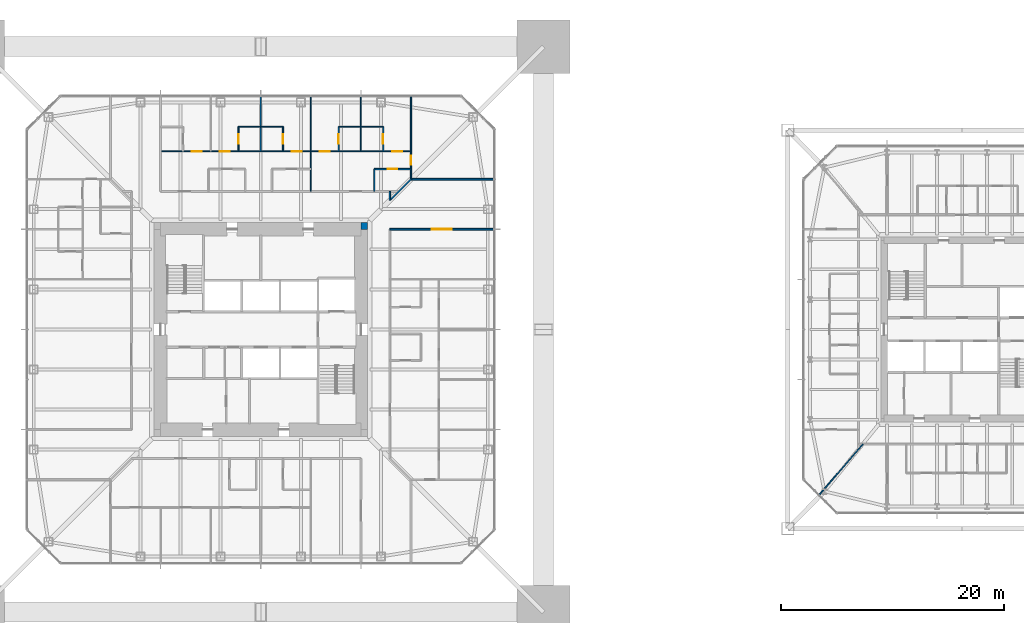
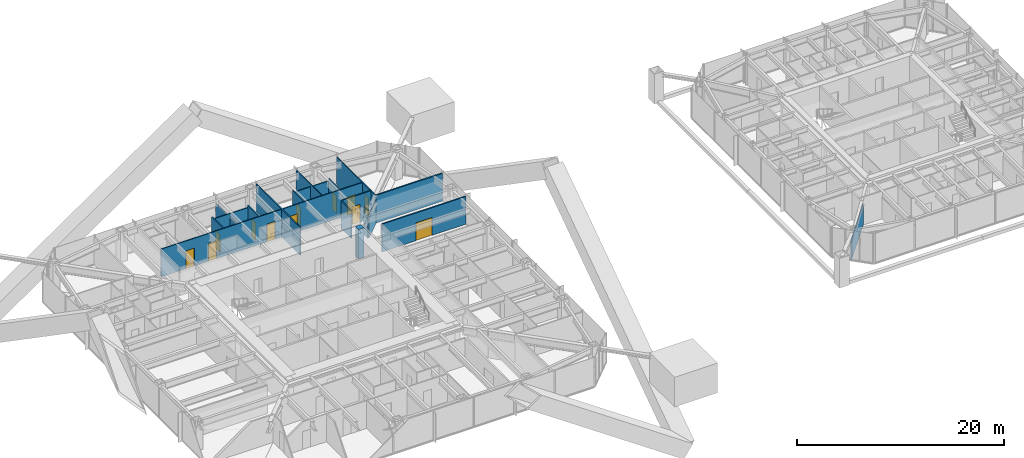
# One storey, part 17 of 26: 19 walls, 12 doors, 12 openings.
"""IFC4 building model written with IfcOpenShell, lengths in metres."""

from ifc_helpers import new_model, si_unit, direction, frame, frame_2d, origin, place, context, subcontext, project, spatial, rectangle, extrude, material, layer, layer_set, type_object, element, fill, save


model = new_model("IFC4")

# Units and contexts
model_context = context("Model", 3, precision=1e-05, world=origin(), true_north=direction((0.0, 1.0)))
body_context = subcontext(model_context, "Body", "Model", "MODEL_VIEW")
ifc_project = project(units=[si_unit("LENGTHUNIT", "METRE"), si_unit("AREAUNIT", "SQUARE_METRE"), si_unit("VOLUMEUNIT", "CUBIC_METRE"), si_unit("PLANEANGLEUNIT", "RADIAN"), si_unit("MASSUNIT", "GRAM", prefix="KILO")], contexts=[model_context])

# Site, building, storey
site_placement = place(None, origin())
site = spatial("IfcSite", under=ifc_project, at=site_placement, CompositionType="ELEMENT")
building_placement = place(site_placement, origin())
building = spatial("IfcBuilding", under=site, at=building_placement, Name="Iwan Alto Co-Living Towers", CompositionType="ELEMENT")
storey_placement = place(building_placement, frame((0.0, 0.0, 115.5)))
storey = spatial("IfcBuildingStorey", under=building, at=storey_placement, Name="L31", CompositionType="ELEMENT", Elevation=115.5)

# Wall, opening, door
ifc_material_1 = material(Name="Gypsum board")
ifc_layer_1 = layer(ifc_material_1, 0.02490234375, Name="Board", Category="Finish")
ifc_material_2 = material(Name="Steel ASTM A1003 ST33H cold-formed studs", Category="steel")
ifc_layer_2 = layer(ifc_material_2, 0.10009765625, Name="Studs", Category="Framing")
ifc_layer_3 = layer(ifc_material_1, 0.02490234375, Name="Board", Category="Finish")
ifc_layer_set_1 = layer_set([ifc_layer_1, ifc_layer_2, ifc_layer_3], Name="CORRIDOR WALL 150")
wall_type_1 = type_object("IfcWallType", Name="CORRIDOR WALL 150", PredefinedType="PARTITIONING", material=ifc_layer_set_1)
wall_1_placement = place(storey_placement, frame((11.60009765625, 9.0, 0.0), z_axis=(0.0, 0.0, 1.0), x_axis=(1.0, 0.0, 0.0)))
wall_1 = element("IfcWall", 1, at=wall_1_placement, inside=storey, type_object=wall_type_1, Name="Partition L31", PredefinedType="PARTITIONING", context=body_context, shape_type="SweptSolid", body=[
    extrude(rectangle(XDim=9.33984375, YDim=0.14990234375, at=frame_2d((4.669921875, 0.0))), origin(), (0.0, 0.0, 1.0), 3.27001953125),
])
opening_1_placement = place(wall_1_placement, frame((3.77001953125, 0.0, 0.0)))
opening_1 = element("IfcOpeningElement", 2, at=opening_1_placement, cuts=wall_1, Name="Opening D9", PredefinedType="OPENING", context=body_context, shape_type="SweptSolid", body=[
    extrude(rectangle(XDim=1.800048828125, YDim=2.10009765625, at=frame_2d((0.89990234375, 1.050048828125))), frame((0.0, 0.0849609375, 0.0), z_axis=(0.0, -1.0, 0.0), x_axis=(1.0, 0.0, 0.0)), (0.0, 0.0, 1.0), 0.169921875),
])
ifc_material_3 = material(Name="Steel frame with timber leaf", Category="steel")
door_type_1 = type_object("IfcDoorType", Name="LOUNGE DOOR FD30S 1800X2100", OperationType="DOUBLE_DOOR_SINGLE_SWING", PredefinedType="DOOR", material=ifc_material_3)
door_1_placement = place(opening_1_placement, frame((1.800048828125, 0.0, 0.0), z_axis=(0.0, 0.0, 1.0), x_axis=(-1.0, 0.0, 0.0)))
door_1 = element("IfcDoor", 3, at=door_1_placement, inside=storey, type_object=door_type_1, Name="Co-working room door L31", OperationType="DOUBLE_DOOR_SINGLE_SWING", OverallHeight=2.10009765625, OverallWidth=1.800048828125, PredefinedType="DOOR", context=body_context, shape_type="SweptSolid", body=[
    extrude(rectangle(XDim=1.800048828125, YDim=2.10009765625, at=frame_2d((0.89990234375, 1.050048828125))), frame((0.0, 0.02490234375, 0.0), z_axis=(0.0, -1.0, 0.0), x_axis=(1.0, 0.0, 0.0)), (0.0, 0.0, 1.0), 0.050048828125),
])
fill(opening_1, door_1)

# Walls
wall_2_placement = place(storey_placement, frame((13.5, 13.5, 0.0), z_axis=(0.0, 0.0, 1.0), x_axis=(1.0, 0.0, 0.0)))
element("IfcWall", 4, at=wall_2_placement, inside=storey, type_object=wall_type_1, Name="Partition L31", PredefinedType="PARTITIONING", context=body_context, shape_type="SweptSolid", body=[
    extrude(rectangle(XDim=7.43994140625, YDim=0.14990234375, at=frame_2d((3.719970703125, 0.0))), origin(), (0.0, 0.0, 1.0), 3.27001953125),
])
wall_3_placement = place(storey_placement, frame((11.60009765625, 11.60009765625, 0.0), z_axis=(0.0, 0.0, 1.0), x_axis=(0.707106781187, 0.707106781187, 0.0)))
element("IfcWall", 5, at=wall_3_placement, inside=storey, type_object=wall_type_1, Name="Partition L31", PredefinedType="PARTITIONING", context=body_context, shape_type="SweptSolid", body=[
    extrude(rectangle(XDim=2.686767578125, YDim=0.14990234375, at=frame_2d((1.34326171875, 0.0))), origin(), (0.0, 0.0, 1.0), 2.343017578125),
])
wall_4_placement = place(storey_placement, frame((11.60009765625, 11.60009765625, 0.0), z_axis=(0.0, 0.0, 1.0), x_axis=(0.0, 1.0, 0.0)))
element("IfcWall", 6, at=wall_4_placement, inside=storey, type_object=wall_type_1, Name="Partition L31", PredefinedType="PARTITIONING", context=body_context, shape_type="SweptSolid", body=[
    extrude(rectangle(XDim=0.7998046875, YDim=0.14990234375, at=frame_2d((0.39990234375, 0.0))), origin(), (0.0, 0.0, 1.0), 3.27001953125),
])

# Wall, openings, doors
ifc_layer_4 = layer(ifc_material_1, 0.012451171875, Name="Board", Category="Finish")
ifc_layer_5 = layer(ifc_material_2, 0.074951171875, Name="Studs", Category="Framing")
ifc_layer_6 = layer(ifc_material_1, 0.012451171875, Name="Board", Category="Finish")
ifc_layer_set_2 = layer_set([ifc_layer_4, ifc_layer_5, ifc_layer_6], Name="PARTITION 100")
wall_type_2 = type_object("IfcWallType", Name="PARTITION 100", PredefinedType="PARTITIONING", material=ifc_layer_set_2)
wall_5_placement = place(storey_placement, frame((-9.0, 16.0, 0.0), z_axis=(0.0, 0.0, 1.0), x_axis=(1.0, 0.0, 0.0)))
wall_5 = element("IfcWall", 7, at=wall_5_placement, inside=storey, type_object=wall_type_2, Name="Partition L31", PredefinedType="PARTITIONING", context=body_context, shape_type="SweptSolid", body=[
    extrude(rectangle(XDim=22.5, YDim=0.10009765625, at=frame_2d((11.25, 0.0))), origin(), (0.0, 0.0, 1.0), 3.27001953125),
])
opening_2_placement = place(wall_5_placement, frame((20.800048828125, 0.0, 0.0)))
opening_2 = element("IfcOpeningElement", 8, at=opening_2_placement, cuts=wall_5, Name="Opening D1", PredefinedType="OPENING", context=body_context, shape_type="SweptSolid", body=[
    extrude(rectangle(XDim=0.89990234375, YDim=2.10009765625, at=frame_2d((0.449951171875, 1.050048828125))), frame((0.0, 0.06005859375, 0.0), z_axis=(0.0, -1.0, 0.0), x_axis=(1.0, 0.0, 0.0)), (0.0, 0.0, 1.0), 0.1201171875),
])
opening_3_placement = place(wall_5_placement, frame((14.300048828125, 0.0, 0.0)))
opening_3 = element("IfcOpeningElement", 9, at=opening_3_placement, cuts=wall_5, Name="Opening D1", PredefinedType="OPENING", context=body_context, shape_type="SweptSolid", body=[
    extrude(rectangle(XDim=0.89990234375, YDim=2.10009765625, at=frame_2d((0.449951171875, 1.050048828125))), frame((0.0, 0.06005859375, 0.0), z_axis=(0.0, -1.0, 0.0), x_axis=(1.0, 0.0, 0.0)), (0.0, 0.0, 1.0), 0.1201171875),
])
opening_4_placement = place(wall_5_placement, frame((11.800048828125, 0.0, 0.0)))
opening_4 = element("IfcOpeningElement", 10, at=opening_4_placement, cuts=wall_5, Name="Opening D1", PredefinedType="OPENING", context=body_context, shape_type="SweptSolid", body=[
    extrude(rectangle(XDim=0.89990234375, YDim=2.10009765625, at=frame_2d((0.449951171875, 1.050048828125))), frame((0.0, 0.06005859375, 0.0), z_axis=(0.0, -1.0, 0.0), x_axis=(1.0, 0.0, 0.0)), (0.0, 0.0, 1.0), 0.1201171875),
])
opening_5_placement = place(wall_5_placement, frame((5.300048828125, 0.0, 0.0)))
opening_5 = element("IfcOpeningElement", 11, at=opening_5_placement, cuts=wall_5, Name="Opening D1", PredefinedType="OPENING", context=body_context, shape_type="SweptSolid", body=[
    extrude(rectangle(XDim=0.89990234375, YDim=2.10009765625, at=frame_2d((0.449951171875, 1.050048828125))), frame((0.0, 0.06005859375, 0.0), z_axis=(0.0, -1.0, 0.0), x_axis=(1.0, 0.0, 0.0)), (0.0, 0.0, 1.0), 0.1201171875),
])
opening_6_placement = place(wall_5_placement, frame((2.800048828125, 0.0, 0.0)))
opening_6 = element("IfcOpeningElement", 12, at=opening_6_placement, cuts=wall_5, Name="Opening D1", PredefinedType="OPENING", context=body_context, shape_type="SweptSolid", body=[
    extrude(rectangle(XDim=0.89990234375, YDim=2.10009765625, at=frame_2d((0.449951171875, 1.050048828125))), frame((0.0, 0.06005859375, 0.0), z_axis=(0.0, -1.0, 0.0), x_axis=(1.0, 0.0, 0.0)), (0.0, 0.0, 1.0), 0.1201171875),
])
ifc_material_4 = material(Name="Timber leaf in steel frame", Category="steel")
door_type_2 = type_object("IfcDoorType", Name="BEDROOM DOOR 900X2100", OperationType="SINGLE_SWING_LEFT", PredefinedType="DOOR", material=ifc_material_4)
door_2_placement = place(opening_2_placement, frame((0.89990234375, 0.0, 0.0), z_axis=(0.0, 0.0, 1.0), x_axis=(-1.0, 0.0, 0.0)))
door_2 = element("IfcDoor", 13, at=door_2_placement, inside=storey, type_object=door_type_2, Name="Study bedroom door L31", OperationType="SINGLE_SWING_LEFT", OverallHeight=2.10009765625, OverallWidth=0.89990234375, PredefinedType="DOOR", context=body_context, shape_type="SweptSolid", body=[
    extrude(rectangle(XDim=0.89990234375, YDim=2.10009765625, at=frame_2d((0.449951171875, 1.050048828125))), frame((0.0, 0.02490234375, 0.0), z_axis=(0.0, -1.0, 0.0), x_axis=(1.0, 0.0, 0.0)), (0.0, 0.0, 1.0), 0.050048828125),
])
fill(opening_2, door_2)
door_3_placement = place(opening_3_placement, frame((0.89990234375, 0.0, 0.0), z_axis=(0.0, 0.0, 1.0), x_axis=(-1.0, 0.0, 0.0)))
door_3 = element("IfcDoor", 14, at=door_3_placement, inside=storey, type_object=door_type_2, Name="Study bedroom door L31", OperationType="SINGLE_SWING_RIGHT", OverallHeight=2.10009765625, OverallWidth=0.89990234375, PredefinedType="DOOR", context=body_context, shape_type="SweptSolid", body=[
    extrude(rectangle(XDim=0.89990234375, YDim=2.10009765625, at=frame_2d((0.449951171875, 1.050048828125))), frame((0.0, 0.02490234375, 0.0), z_axis=(0.0, -1.0, 0.0), x_axis=(1.0, 0.0, 0.0)), (0.0, 0.0, 1.0), 0.050048828125),
])
fill(opening_3, door_3)
door_4_placement = place(opening_4_placement, frame((0.89990234375, 0.0, 0.0), z_axis=(0.0, 0.0, 1.0), x_axis=(-1.0, 0.0, 0.0)))
door_4 = element("IfcDoor", 15, at=door_4_placement, inside=storey, type_object=door_type_2, Name="Study bedroom door L31", OperationType="SINGLE_SWING_LEFT", OverallHeight=2.10009765625, OverallWidth=0.89990234375, PredefinedType="DOOR", context=body_context, shape_type="SweptSolid", body=[
    extrude(rectangle(XDim=0.89990234375, YDim=2.10009765625, at=frame_2d((0.449951171875, 1.050048828125))), frame((0.0, 0.02490234375, 0.0), z_axis=(0.0, -1.0, 0.0), x_axis=(1.0, 0.0, 0.0)), (0.0, 0.0, 1.0), 0.050048828125),
])
fill(opening_4, door_4)
door_5_placement = place(opening_5_placement, frame((0.89990234375, 0.0, 0.0), z_axis=(0.0, 0.0, 1.0), x_axis=(-1.0, 0.0, 0.0)))
door_5 = element("IfcDoor", 16, at=door_5_placement, inside=storey, type_object=door_type_2, Name="Study bedroom door L31", OperationType="SINGLE_SWING_RIGHT", OverallHeight=2.10009765625, OverallWidth=0.89990234375, PredefinedType="DOOR", context=body_context, shape_type="SweptSolid", body=[
    extrude(rectangle(XDim=0.89990234375, YDim=2.10009765625, at=frame_2d((0.449951171875, 1.050048828125))), frame((0.0, 0.02490234375, 0.0), z_axis=(0.0, -1.0, 0.0), x_axis=(1.0, 0.0, 0.0)), (0.0, 0.0, 1.0), 0.050048828125),
])
fill(opening_5, door_5)
door_6_placement = place(opening_6_placement, frame((0.89990234375, 0.0, 0.0), z_axis=(0.0, 0.0, 1.0), x_axis=(-1.0, 0.0, 0.0)))
door_6 = element("IfcDoor", 17, at=door_6_placement, inside=storey, type_object=door_type_2, Name="Study bedroom door L31", OperationType="SINGLE_SWING_RIGHT", OverallHeight=2.10009765625, OverallWidth=0.89990234375, PredefinedType="DOOR", context=body_context, shape_type="SweptSolid", body=[
    extrude(rectangle(XDim=0.89990234375, YDim=2.10009765625, at=frame_2d((0.449951171875, 1.050048828125))), frame((0.0, 0.02490234375, 0.0), z_axis=(0.0, -1.0, 0.0), x_axis=(1.0, 0.0, 0.0)), (0.0, 0.0, 1.0), 0.050048828125),
])
fill(opening_6, door_6)

# Walls
for number, where, z_axis, x_axis, name in (
    (18, (-2.0, 18.199951171875, 0.0), (0.0, 0.0, 1.0), (1.0, 0.0, 0.0), "Partition L31"),
    (19, (7.0, 18.199951171875, 0.0), (0.0, 0.0, 1.0), (1.0, 0.0, 0.0), "Partition L31"),
):
    element("IfcWall", number, at=place(storey_placement, frame(where, z_axis=z_axis, x_axis=x_axis)), inside=storey, type_object=wall_type_2, Name=name, PredefinedType="PARTITIONING", context=body_context, shape_type="SweptSolid", body=[
        extrude(rectangle(XDim=4.0, YDim=0.10009765625, at=frame_2d((2.0, 0.0))), origin(), (0.0, 0.0, 1.0), 3.0),
    ])
wall_6_placement = place(storey_placement, frame((50.179931640625, -14.844970703125, 0.0), z_axis=(0.0, 0.0, 1.0), x_axis=(0.653585997703, 0.756852260092, 0.0)))
element("IfcWall", 20, at=wall_6_placement, inside=storey, type_object=wall_type_2, Name="Partition L31", PredefinedType="PARTITIONING", context=body_context, shape_type="SweptSolid", body=[
    extrude(rectangle(XDim=6.005126953125, YDim=0.10009765625, at=frame_2d((3.00244140625, 0.0))), origin(), (0.0, 0.0, 1.0), 2.42919921875),
])

# Wall, opening, door
wall_7_placement = place(storey_placement, frame((13.5, 13.5, 0.0), z_axis=(0.0, 0.0, 1.0), x_axis=(0.0, 1.0, 0.0)))
wall_7 = element("IfcWall", 21, at=wall_7_placement, inside=storey, type_object=wall_type_2, Name="Partition L31", PredefinedType="PARTITIONING", context=body_context, shape_type="SweptSolid", body=[
    extrude(rectangle(XDim=7.43994140625, YDim=0.10009765625, at=frame_2d((3.719970703125, 0.0))), origin(), (0.0, 0.0, 1.0), 3.27001953125),
])
opening_7_placement = place(wall_7_placement, frame((1.27490234375, 0.0, 0.0)))
opening_7 = element("IfcOpeningElement", 22, at=opening_7_placement, cuts=wall_7, Name="Opening D2", PredefinedType="OPENING", context=body_context, shape_type="SweptSolid", body=[
    extrude(rectangle(XDim=0.85009765625, YDim=2.10009765625, at=frame_2d((0.425048828125, 1.050048828125))), frame((0.0, 0.06005859375, 0.0), z_axis=(0.0, -1.0, 0.0), x_axis=(1.0, 0.0, 0.0)), (0.0, 0.0, 1.0), 0.1201171875),
])
ifc_material_5 = material(Name="Timber leaf in steel frame", Category="steel")
door_type_3 = type_object("IfcDoorType", Name="ROOM DOOR 850X2100", OperationType="SINGLE_SWING_LEFT", PredefinedType="DOOR", material=ifc_material_5)
door_7_placement = place(opening_7_placement, frame((0.85009765625, 0.0, 0.0), z_axis=(0.0, 0.0, 1.0), x_axis=(-1.0, 0.0, 0.0)))
door_7 = element("IfcDoor", 23, at=door_7_placement, inside=storey, type_object=door_type_3, Name="Shared kitchen and lounge door L31", OperationType="SINGLE_SWING_RIGHT", OverallHeight=2.10009765625, OverallWidth=0.85009765625, PredefinedType="DOOR", context=body_context, shape_type="SweptSolid", body=[
    extrude(rectangle(XDim=0.85009765625, YDim=2.10009765625, at=frame_2d((0.425048828125, 1.050048828125))), frame((0.0, 0.02490234375, 0.0), z_axis=(0.0, -1.0, 0.0), x_axis=(1.0, 0.0, 0.0)), (0.0, 0.0, 1.0), 0.050048828125),
])
fill(opening_7, door_7)

# Walls
wall_8_placement = place(storey_placement, frame((9.0, 16.0, 0.0), z_axis=(0.0, 0.0, 1.0), x_axis=(0.0, 1.0, 0.0)))
element("IfcWall", 24, at=wall_8_placement, inside=storey, type_object=wall_type_2, Name="Partition L31", PredefinedType="PARTITIONING", context=body_context, shape_type="SweptSolid", body=[
    extrude(rectangle(XDim=4.93994140625, YDim=0.10009765625, at=frame_2d((2.469970703125, 0.0))), origin(), (0.0, 0.0, 1.0), 3.27001953125),
])
wall_9_placement = place(storey_placement, frame((4.5, 12.39990234375, 0.0), z_axis=(0.0, 0.0, 1.0), x_axis=(0.0, 1.0, 0.0)))
element("IfcWall", 25, at=wall_9_placement, inside=storey, type_object=wall_type_2, Name="Partition L31", PredefinedType="PARTITIONING", context=body_context, shape_type="SweptSolid", body=[
    extrude(rectangle(XDim=8.5400390625, YDim=0.10009765625, at=frame_2d((4.27001953125, 0.0))), origin(), (0.0, 0.0, 1.0), 3.27001953125),
])
wall_10_placement = place(storey_placement, frame((0.0, 16.0, 0.0), z_axis=(0.0, 0.0, 1.0), x_axis=(0.0, 1.0, 0.0)))
element("IfcWall", 26, at=wall_10_placement, inside=storey, type_object=wall_type_2, Name="Partition L31", PredefinedType="PARTITIONING", context=body_context, shape_type="SweptSolid", body=[
    extrude(rectangle(XDim=4.93994140625, YDim=0.10009765625, at=frame_2d((2.469970703125, 0.0))), origin(), (0.0, 0.0, 1.0), 2.586669921875),
])
ifc_material_6 = material(Name="Concrete f'c 70 MPa", Category="concrete")
ifc_layer_7 = layer(ifc_material_6, 0.60009765625)
ifc_layer_set_3 = layer_set([ifc_layer_7], Name="T1 CORE CORNER FILL 600")
wall_type_3 = type_object("IfcWallType", Name="T1 CORE CORNER FILL 600", PredefinedType="SOLIDWALL", material=ifc_layer_set_3)
wall_11_placement = place(storey_placement, frame((9.0, 9.300048828125, 0.0), z_axis=(0.0, 0.0, 1.0), x_axis=(1.0, 0.0, 0.0)))
element("IfcWall", 27, at=wall_11_placement, inside=storey, type_object=wall_type_3, Name="T1 core corner NE L31", PredefinedType="SOLIDWALL", context=body_context, shape_type="SweptSolid", body=[
    extrude(rectangle(XDim=0.60009765625, YDim=0.60009765625, at=frame_2d((0.300048828125, 0.0))), origin(), (0.0, 0.0, 1.0), 3.5),
])

# Wall, opening, door
ifc_material_7 = material(Name="Cement board")
ifc_layer_8 = layer(ifc_material_7, 0.012451171875, Name="Board", Category="Finish")
ifc_layer_9 = layer(ifc_material_2, 0.094970703125, Name="Studs", Category="Framing")
ifc_layer_10 = layer(ifc_material_7, 0.012451171875, Name="Board", Category="Finish")
ifc_layer_set_4 = layer_set([ifc_layer_8, ifc_layer_9, ifc_layer_10], Name="WET AREA PARTITION 120")
wall_type_4 = type_object("IfcWallType", Name="WET AREA PARTITION 120", PredefinedType="PARTITIONING", material=ifc_layer_set_4)
wall_12_placement = place(storey_placement, frame((10.199951171875, 14.39990234375, 0.0), z_axis=(0.0, 0.0, 1.0), x_axis=(1.0, 0.0, 0.0)))
wall_12 = element("IfcWall", 28, at=wall_12_placement, inside=storey, type_object=wall_type_4, Name="Partition L31", PredefinedType="PARTITIONING", context=body_context, shape_type="SweptSolid", body=[
    extrude(rectangle(XDim=3.300048828125, YDim=0.1201171875, at=frame_2d((1.64990234375, 0.0))), origin(), (0.0, 0.0, 1.0), 3.27001953125),
])
opening_8_placement = place(wall_12_placement, frame((1.22509765625, 0.0, 0.0)))
opening_8 = element("IfcOpeningElement", 29, at=opening_8_placement, cuts=wall_12, Name="Opening D2", PredefinedType="OPENING", context=body_context, shape_type="SweptSolid", body=[
    extrude(rectangle(XDim=0.85009765625, YDim=2.10009765625, at=frame_2d((0.425048828125, 1.050048828125))), frame((0.0, 0.070068359375, 0.0), z_axis=(0.0, -1.0, 0.0), x_axis=(1.0, 0.0, 0.0)), (0.0, 0.0, 1.0), 0.14013671875),
])
door_8_placement = place(opening_8_placement, origin())
door_8 = element("IfcDoor", 30, at=door_8_placement, inside=storey, type_object=door_type_3, Name="Bathroom door L31", OperationType="SINGLE_SWING_RIGHT", OverallHeight=2.10009765625, OverallWidth=0.85009765625, PredefinedType="DOOR", context=body_context, shape_type="SweptSolid", body=[
    extrude(rectangle(XDim=0.85009765625, YDim=2.10009765625, at=frame_2d((0.425048828125, 1.050048828125))), frame((0.0, 0.02490234375, 0.0), z_axis=(0.0, -1.0, 0.0), x_axis=(1.0, 0.0, 0.0)), (0.0, 0.0, 1.0), 0.050048828125),
])
fill(opening_8, door_8)

wall_13_placement = place(storey_placement, frame((11.0, 16.0, 0.0), z_axis=(0.0, 0.0, 1.0), x_axis=(0.0, 1.0, 0.0)))
wall_13 = element("IfcWall", 31, at=wall_13_placement, inside=storey, type_object=wall_type_4, Name="Partition L31", PredefinedType="PARTITIONING", context=body_context, shape_type="SweptSolid", body=[
    extrude(rectangle(XDim=2.199951171875, YDim=0.1201171875, at=frame_2d((1.10009765625, 0.0))), origin(), (0.0, 0.0, 1.0), 3.27001953125),
])
opening_9_placement = place(wall_13_placement, frame((0.675048828125, 0.0, 0.0)))
opening_9 = element("IfcOpeningElement", 32, at=opening_9_placement, cuts=wall_13, Name="Opening D2", PredefinedType="OPENING", context=body_context, shape_type="SweptSolid", body=[
    extrude(rectangle(XDim=0.85009765625, YDim=2.10009765625, at=frame_2d((0.425048828125, 1.050048828125))), frame((0.0, 0.070068359375, 0.0), z_axis=(0.0, -1.0, 0.0), x_axis=(1.0, 0.0, 0.0)), (0.0, 0.0, 1.0), 0.14013671875),
])
door_9_placement = place(opening_9_placement, frame((0.85009765625, 0.0, 0.0), z_axis=(0.0, 0.0, 1.0), x_axis=(-1.0, 0.0, 0.0)))
door_9 = element("IfcDoor", 33, at=door_9_placement, inside=storey, type_object=door_type_3, Name="En-suite shower room door L31", OperationType="SINGLE_SWING_RIGHT", OverallHeight=2.10009765625, OverallWidth=0.85009765625, PredefinedType="DOOR", context=body_context, shape_type="SweptSolid", body=[
    extrude(rectangle(XDim=0.85009765625, YDim=2.10009765625, at=frame_2d((0.425048828125, 1.050048828125))), frame((0.0, 0.02490234375, 0.0), z_axis=(0.0, -1.0, 0.0), x_axis=(1.0, 0.0, 0.0)), (0.0, 0.0, 1.0), 0.050048828125),
])
fill(opening_9, door_9)

# Wall
wall_14_placement = place(storey_placement, frame((10.199951171875, 12.39990234375, 0.0), z_axis=(0.0, 0.0, 1.0), x_axis=(0.0, 1.0, 0.0)))
element("IfcWall", 34, at=wall_14_placement, inside=storey, type_object=wall_type_4, Name="Partition L31", PredefinedType="PARTITIONING", context=body_context, shape_type="SweptSolid", body=[
    extrude(rectangle(XDim=2.0, YDim=0.1201171875, at=frame_2d((1.0, 0.0))), origin(), (0.0, 0.0, 1.0), 3.27001953125),
])

# Wall, opening, door
wall_15_placement = place(storey_placement, frame((7.0, 16.0, 0.0), z_axis=(0.0, 0.0, 1.0), x_axis=(0.0, 1.0, 0.0)))
wall_15 = element("IfcWall", 35, at=wall_15_placement, inside=storey, type_object=wall_type_4, Name="Partition L31", PredefinedType="PARTITIONING", context=body_context, shape_type="SweptSolid", body=[
    extrude(rectangle(XDim=2.199951171875, YDim=0.1201171875, at=frame_2d((1.10009765625, 0.0))), origin(), (0.0, 0.0, 1.0), 3.27001953125),
])
opening_10_placement = place(wall_15_placement, frame((0.675048828125, 0.0, 0.0)))
opening_10 = element("IfcOpeningElement", 36, at=opening_10_placement, cuts=wall_15, Name="Opening D2", PredefinedType="OPENING", context=body_context, shape_type="SweptSolid", body=[
    extrude(rectangle(XDim=0.85009765625, YDim=2.10009765625, at=frame_2d((0.425048828125, 1.050048828125))), frame((0.0, 0.070068359375, 0.0), z_axis=(0.0, -1.0, 0.0), x_axis=(1.0, 0.0, 0.0)), (0.0, 0.0, 1.0), 0.14013671875),
])
door_10_placement = place(opening_10_placement, origin())
door_10 = element("IfcDoor", 37, at=door_10_placement, inside=storey, type_object=door_type_3, Name="En-suite shower room door L31", OperationType="SINGLE_SWING_LEFT", OverallHeight=2.10009765625, OverallWidth=0.85009765625, PredefinedType="DOOR", context=body_context, shape_type="SweptSolid", body=[
    extrude(rectangle(XDim=0.85009765625, YDim=2.10009765625, at=frame_2d((0.425048828125, 1.050048828125))), frame((0.0, 0.02490234375, 0.0), z_axis=(0.0, -1.0, 0.0), x_axis=(1.0, 0.0, 0.0)), (0.0, 0.0, 1.0), 0.050048828125),
])
fill(opening_10, door_10)

wall_16_placement = place(storey_placement, frame((2.0, 16.0, 0.0), z_axis=(0.0, 0.0, 1.0), x_axis=(0.0, 1.0, 0.0)))
wall_16 = element("IfcWall", 38, at=wall_16_placement, inside=storey, type_object=wall_type_4, Name="Partition L31", PredefinedType="PARTITIONING", context=body_context, shape_type="SweptSolid", body=[
    extrude(rectangle(XDim=2.199951171875, YDim=0.1201171875, at=frame_2d((1.10009765625, 0.0))), origin(), (0.0, 0.0, 1.0), 3.27001953125),
])
opening_11_placement = place(wall_16_placement, frame((0.675048828125, 0.0, 0.0)))
opening_11 = element("IfcOpeningElement", 39, at=opening_11_placement, cuts=wall_16, Name="Opening D2", PredefinedType="OPENING", context=body_context, shape_type="SweptSolid", body=[
    extrude(rectangle(XDim=0.85009765625, YDim=2.10009765625, at=frame_2d((0.425048828125, 1.050048828125))), frame((0.0, 0.070068359375, 0.0), z_axis=(0.0, -1.0, 0.0), x_axis=(1.0, 0.0, 0.0)), (0.0, 0.0, 1.0), 0.14013671875),
])
door_11_placement = place(opening_11_placement, frame((0.85009765625, 0.0, 0.0), z_axis=(0.0, 0.0, 1.0), x_axis=(-1.0, 0.0, 0.0)))
door_11 = element("IfcDoor", 40, at=door_11_placement, inside=storey, type_object=door_type_3, Name="En-suite shower room door L31", OperationType="SINGLE_SWING_RIGHT", OverallHeight=2.10009765625, OverallWidth=0.85009765625, PredefinedType="DOOR", context=body_context, shape_type="SweptSolid", body=[
    extrude(rectangle(XDim=0.85009765625, YDim=2.10009765625, at=frame_2d((0.425048828125, 1.050048828125))), frame((0.0, 0.02490234375, 0.0), z_axis=(0.0, -1.0, 0.0), x_axis=(1.0, 0.0, 0.0)), (0.0, 0.0, 1.0), 0.050048828125),
])
fill(opening_11, door_11)

wall_17_placement = place(storey_placement, frame((-2.0, 16.0, 0.0), z_axis=(0.0, 0.0, 1.0), x_axis=(0.0, 1.0, 0.0)))
wall_17 = element("IfcWall", 41, at=wall_17_placement, inside=storey, type_object=wall_type_4, Name="Partition L31", PredefinedType="PARTITIONING", context=body_context, shape_type="SweptSolid", body=[
    extrude(rectangle(XDim=2.199951171875, YDim=0.1201171875, at=frame_2d((1.10009765625, 0.0))), origin(), (0.0, 0.0, 1.0), 3.27001953125),
])
opening_12_placement = place(wall_17_placement, frame((0.675048828125, 0.0, 0.0)))
opening_12 = element("IfcOpeningElement", 42, at=opening_12_placement, cuts=wall_17, Name="Opening D2", PredefinedType="OPENING", context=body_context, shape_type="SweptSolid", body=[
    extrude(rectangle(XDim=0.85009765625, YDim=2.10009765625, at=frame_2d((0.425048828125, 1.050048828125))), frame((0.0, 0.070068359375, 0.0), z_axis=(0.0, -1.0, 0.0), x_axis=(1.0, 0.0, 0.0)), (0.0, 0.0, 1.0), 0.14013671875),
])
door_12_placement = place(opening_12_placement, origin())
door_12 = element("IfcDoor", 43, at=door_12_placement, inside=storey, type_object=door_type_3, Name="En-suite shower room door L31", OperationType="SINGLE_SWING_LEFT", OverallHeight=2.10009765625, OverallWidth=0.85009765625, PredefinedType="DOOR", context=body_context, shape_type="SweptSolid", body=[
    extrude(rectangle(XDim=0.85009765625, YDim=2.10009765625, at=frame_2d((0.425048828125, 1.050048828125))), frame((0.0, 0.02490234375, 0.0), z_axis=(0.0, -1.0, 0.0), x_axis=(1.0, 0.0, 0.0)), (0.0, 0.0, 1.0), 0.050048828125),
])
fill(opening_12, door_12)

save(model, "model.ifc")
